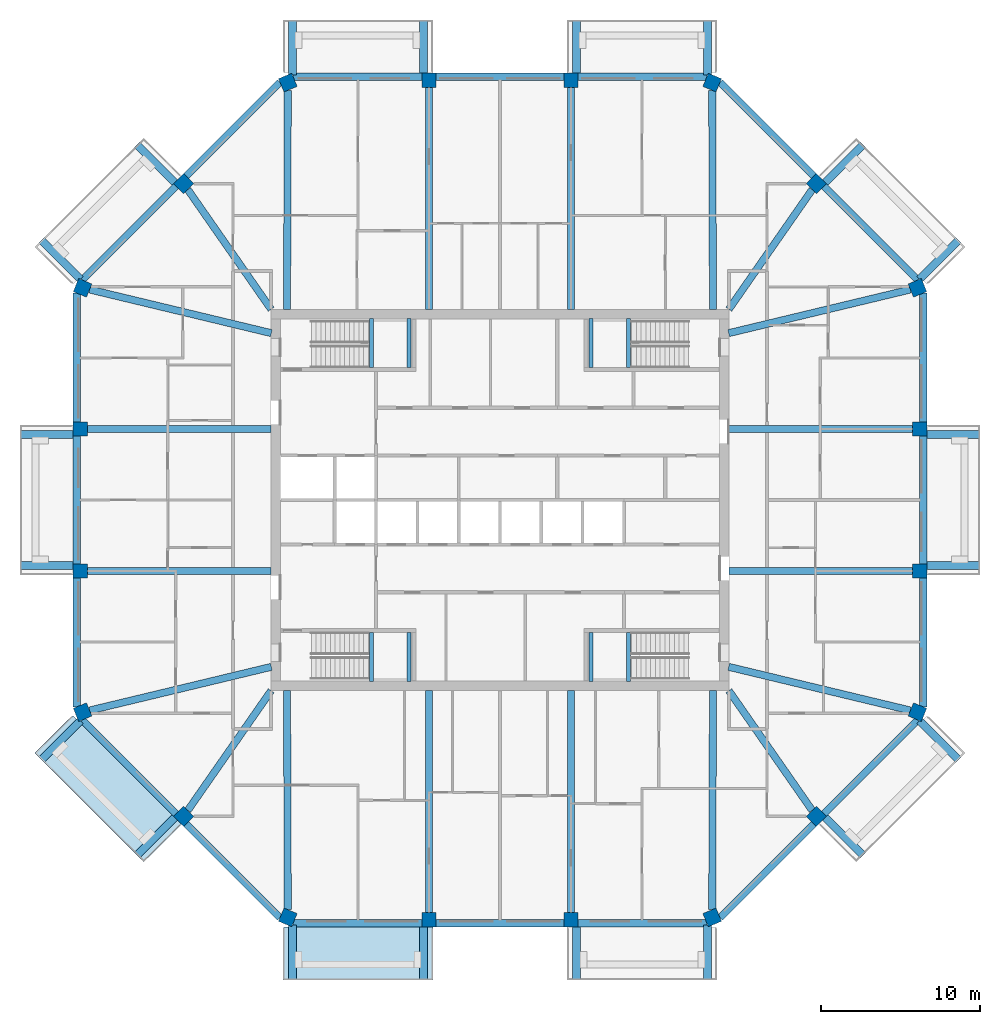
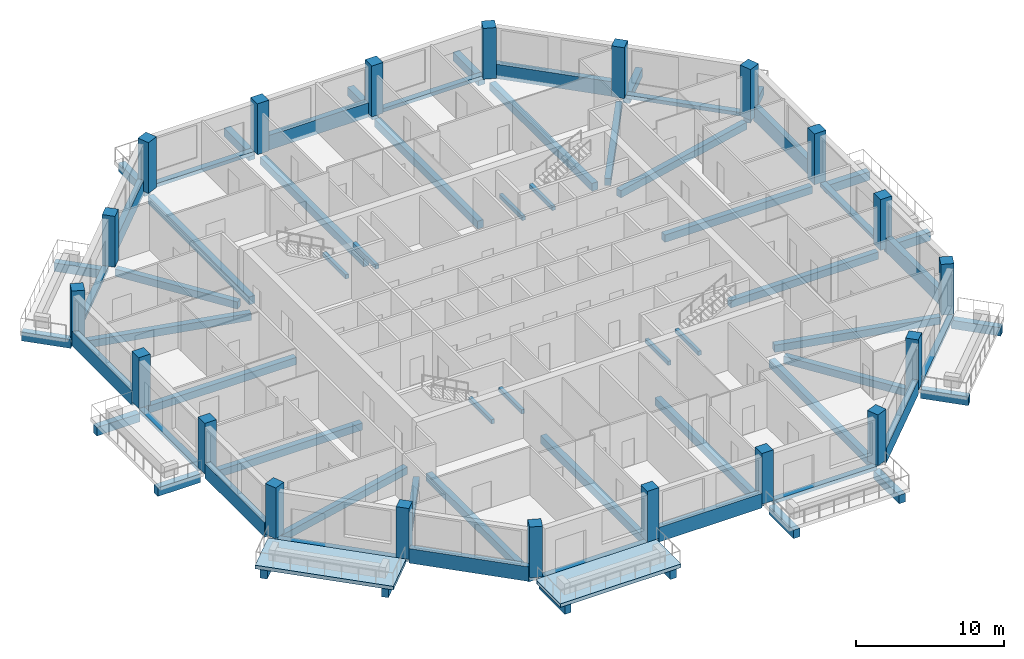
# One storey, part 1 of 12: 68 beams, 20 columns, 2 slabs.
"""IFC4 building model written with IfcOpenShell, lengths in metres."""

import ifcopenshell
import ifcopenshell.guid

model = None  # the IFC model being written
_history = None  # IfcOwnerHistory: only IFC2X3 demands one
_inside = {}  # id of a spatial element -> (the spatial element, [elements in it])
_under = {}  # id of a project, library or spatial element -> (it, [spatial elements below it])
_declared = {}  # id of a project -> (the project, [libraries it declares])
_typed = {}  # id of a type object -> (the type object, [elements of that type])
_made_of = {}  # id of a material, layer set ... -> (it, [elements and type objects made of it])


def new_model(schema):
    """Start an empty IFC model of exactly this schema.

    Asked for "IFC4X3", IfcOpenShell would pick the latest addendum, in which some entities
    have other attributes; the version numbers below select the first issue.
    IFC2X3 requires an IfcOwnerHistory on every rooted entity: one is made here for all.
    """
    global model, _history
    if schema == "IFC4X3":
        model = ifcopenshell.file(schema_version=(4, 3, 0, 0))
    else:
        model = ifcopenshell.file(schema=schema)
    _inside.clear()
    _under.clear()
    _declared.clear()
    _typed.clear()
    _made_of.clear()
    _history = None
    if model.schema == "IFC2X3":
        org = make("IfcOrganization", Name="unknown")
        user = make(
            "IfcPersonAndOrganization",
            ThePerson=make("IfcPerson", FamilyName="unknown"),
            TheOrganization=org,
        )
        app = make(
            "IfcApplication",
            ApplicationDeveloper=org,
            Version="unknown",
            ApplicationFullName="unknown",
            ApplicationIdentifier="unknown",
        )
        _history = make(
            "IfcOwnerHistory",
            OwningUser=user,
            OwningApplication=app,
            ChangeAction="ADDED",
            CreationDate=0,
        )
    return model


def make(cls, **values):
    """One entity of the class cls with the attributes given. An attribute that is None is left unset."""
    return model.create_entity(
        cls, **{name: value for name, value in values.items() if value is not None}
    )


def rooted(cls, **values):
    """An entity with a GlobalId (a new one), such as an element, a storey or a relation."""
    return make(cls, GlobalId=ifcopenshell.guid.new(), OwnerHistory=_history, **values)


def si_unit(unit_type, name, prefix=None):
    """IfcSIUnit, for example si_unit("LENGTHUNIT", "METRE", prefix="MILLI")."""
    return make("IfcSIUnit", UnitType=unit_type, Prefix=prefix, Name=name)


def assignment(units):
    """IfcUnitAssignment: the units of a project."""
    return None if units is None else make("IfcUnitAssignment", Units=units)


def point(xyz):
    """IfcCartesianPoint."""
    return None if xyz is None else make("IfcCartesianPoint", Coordinates=xyz)


def direction(xyz):
    """IfcDirection."""
    return None if xyz is None else make("IfcDirection", DirectionRatios=xyz)


def frame(location, z_axis=None, x_axis=None):
    """IfcAxis2Placement3D, a coordinate frame: its origin and axes. An axis left out is left unset."""
    return make(
        "IfcAxis2Placement3D",
        Location=point(location),
        Axis=direction(z_axis),
        RefDirection=direction(x_axis),
    )


def frame_2d(location, x_axis=None):
    """IfcAxis2Placement2D, a coordinate frame in the plane: its origin and x axis."""
    return make(
        "IfcAxis2Placement2D", Location=point(location), RefDirection=direction(x_axis)
    )


def origin():
    """The frame at (0, 0, 0) with its axes left unset."""
    return frame((0.0, 0.0, 0.0))


def origin_2d():
    """The frame at (0, 0) in the plane with its x axis left unset."""
    return frame_2d((0.0, 0.0))


def place(relative_to, where):
    """IfcLocalPlacement: puts the frame where relative to a parent placement (None: the world)."""
    return make(
        "IfcLocalPlacement", PlacementRelTo=relative_to, RelativePlacement=where
    )


def context(
    kind, dimensions, precision=None, world=None, true_north=None, identifier=None
):
    """IfcGeometricRepresentationContext, for example the 3D "Model" context."""
    return make(
        "IfcGeometricRepresentationContext",
        ContextIdentifier=identifier,
        ContextType=kind,
        CoordinateSpaceDimension=dimensions,
        Precision=precision,
        WorldCoordinateSystem=world,
        TrueNorth=true_north,
    )


def subcontext(parent, identifier, kind, view, scale=None):
    """IfcGeometricRepresentationSubContext, for example "Body" below "Model"."""
    return make(
        "IfcGeometricRepresentationSubContext",
        ContextIdentifier=identifier,
        ContextType=kind,
        ParentContext=parent,
        TargetScale=scale,
        TargetView=view,
    )


def project(units=None, contexts=None):
    """IfcProject with its units and contexts."""
    return rooted(
        "IfcProject",
        Name="project",
        RepresentationContexts=contexts,
        UnitsInContext=assignment(units),
    )


def spatial(cls, under=None, at=None, **own):
    """A site, building, storey or space (cls), placed at a placement, below another one or the project."""
    s = rooted(cls, ObjectPlacement=at, **own)
    if under is not None:
        _under.setdefault(under.id(), (under, []))[1].append(s)
    return s


def polyline(points):
    """IfcPolyline through the points."""
    return make("IfcPolyline", Points=[point(p) for p in points])


def profile(cls, at=None, kind="AREA", **sizes):
    """A parametric profile (cls). Its sizes go by their IFC names, for example OverallWidth=200.0."""
    return make(cls, ProfileType=kind, Position=at, **sizes)


def rectangle(**sizes):
    """IfcRectangleProfileDef."""
    return profile("IfcRectangleProfileDef", **sizes)


def outline(outer, holes=None, kind="AREA"):
    """IfcArbitraryClosedProfileDef: a profile drawn as a closed curve; with holes, ...WithVoids."""
    if holes is None:
        return make("IfcArbitraryClosedProfileDef", ProfileType=kind, OuterCurve=outer)
    return make(
        "IfcArbitraryProfileDefWithVoids",
        ProfileType=kind,
        OuterCurve=outer,
        InnerCurves=holes,
    )


def extrude(swept, where, along, depth):
    """IfcExtrudedAreaSolid: the profile swept, set in the frame where, extruded along a direction by depth."""
    return make(
        "IfcExtrudedAreaSolid",
        SweptArea=swept,
        Position=where,
        ExtrudedDirection=direction(along),
        Depth=depth,
    )


def shape(context_of_items, identifier, shape_type, items):
    """IfcShapeRepresentation: the items that make up one representation, for example the "Body"."""
    return make(
        "IfcShapeRepresentation",
        ContextOfItems=context_of_items,
        RepresentationIdentifier=identifier,
        RepresentationType=shape_type,
        Items=items,
    )


def material(Name=None, Category=None):
    """IfcMaterial."""
    return make("IfcMaterial", Name=Name, Category=Category)


def layer(
    of_material, thickness, ventilated=None, Name=None, Category=None, Priority=None
):
    """IfcMaterialLayer: one layer of a wall or slab, of a material (None: an air gap)."""
    return make(
        "IfcMaterialLayer",
        Material=of_material,
        LayerThickness=thickness,
        IsVentilated=ventilated,
        Name=Name,
        Category=Category,
        Priority=Priority,
    )


def layer_set(layers, Name=None):
    """IfcMaterialLayerSet."""
    return make("IfcMaterialLayerSet", MaterialLayers=layers, LayerSetName=Name)


def material_profile(
    of_material, cross_section, Name=None, Category=None, Priority=None
):
    """IfcMaterialProfile: a cross section and its material."""
    return make(
        "IfcMaterialProfile",
        Name=Name,
        Material=of_material,
        Profile=cross_section,
        Priority=Priority,
        Category=Category,
    )


def profile_set(profiles, Name=None, composite=None):
    """IfcMaterialProfileSet."""
    return make(
        "IfcMaterialProfileSet",
        Name=Name,
        MaterialProfiles=profiles,
        CompositeProfile=composite,
    )


def made_of(thing, what):
    """Note that an element or type object is made of a material, layer set ...; save() writes the relation."""
    if what is not None:
        _made_of.setdefault(what.id(), (what, []))[1].append(thing)
    return thing


def type_object(cls, material=None, **own):
    """A type object (cls), such as IfcWallType, which elements share."""
    return made_of(rooted(cls, **own), material)


def element(
    cls,
    number,
    at=None,
    inside=None,
    cuts=None,
    type_object=None,
    material=None,
    context=None,
    identifier="Body",
    shape_type=None,
    held_by="IfcProductDefinitionShape",
    body=None,
    shapes=None,
    **own,
):
    """One element of the class cls, such as IfcWall. Its Tag is "e" and its number.

    at: its placement. inside: the storey or other place that contains it. cuts: it is an
    opening in that element (IfcRelVoidsElement). A single representation is given by context,
    identifier, shape_type and body (its items); several are given by shapes. held_by: the class
    of the entity that holds the representations. save() writes the other relations.
    """
    e = rooted(cls, Tag="e%d" % number, ObjectPlacement=at, **own)
    if body is not None:
        shapes = [shape(context, identifier, shape_type, body)]
    if shapes is not None:
        e.Representation = make(held_by, Representations=shapes)
    if inside is not None:
        _inside.setdefault(inside.id(), (inside, []))[1].append(e)
    if cuts is not None:
        rooted(
            "IfcRelVoidsElement", RelatingBuildingElement=cuts, RelatedOpeningElement=e
        )
    if type_object is not None:
        _typed.setdefault(type_object.id(), (type_object, []))[1].append(e)
    return made_of(e, material)


def aggregate(whole, parts):
    """IfcRelAggregates: a whole, such as a stair, and the parts it consists of."""
    return rooted("IfcRelAggregates", RelatingObject=whole, RelatedObjects=parts)


def save(model, path):
    """Write the relations noted so far, then the file.

    IfcRelAggregates (storeys below a building ...), IfcRelContainedInSpatialStructure (elements
    in a storey), IfcRelDefinesByType, IfcRelAssociatesMaterial and IfcRelDeclares: one each for
    every whole, place, type object, material and project.
    """
    for whole, parts in _under.values():
        aggregate(whole, parts)
    for where, things in _inside.values():
        rooted(
            "IfcRelContainedInSpatialStructure",
            RelatedElements=things,
            RelatingStructure=where,
        )
    for kind, things in _typed.values():
        rooted("IfcRelDefinesByType", RelatedObjects=things, RelatingType=kind)
    for what, things in _made_of.values():
        rooted("IfcRelAssociatesMaterial", RelatedObjects=things, RelatingMaterial=what)
    for by, libraries in _declared.values():
        rooted("IfcRelDeclares", RelatingContext=by, RelatedDefinitions=libraries)
    model.write(path)


model = new_model("IFC4")

# Units and contexts
model_context = context("Model", 3, precision=1e-05, world=origin(), true_north=direction((0.0, 1.0)))
body_context = subcontext(model_context, "Body", "Model", "MODEL_VIEW")
ifc_project = project(units=[si_unit("LENGTHUNIT", "METRE"), si_unit("AREAUNIT", "SQUARE_METRE"), si_unit("VOLUMEUNIT", "CUBIC_METRE"), si_unit("PLANEANGLEUNIT", "RADIAN"), si_unit("MASSUNIT", "GRAM", prefix="KILO")], contexts=[model_context])

# Site, building, storey
site_placement = place(None, origin())
site = spatial("IfcSite", under=ifc_project, at=site_placement, CompositionType="ELEMENT")
building_placement = place(site_placement, origin())
building = spatial("IfcBuilding", under=site, at=building_placement, Name="Msitu Wima Residences", CompositionType="ELEMENT")
storey_placement = place(building_placement, frame((0.0, 0.0, 251.699951171875)))
storey = spatial("IfcBuildingStorey", under=building, at=storey_placement, Name="L58", CompositionType="ELEMENT", Elevation=251.699951171875)

# Columns
ifc_material_1 = material(Name="Concrete C50/60", Category="concrete")
ifc_material_profile_1 = material_profile(ifc_material_1, rectangle(XDim=0.89990234375, YDim=0.89990234375, at=origin_2d()), Name="RC 900x900")
ifc_profile_set_1 = profile_set([ifc_material_profile_1], Name="Concrete C50/60")
column_type = type_object("IfcColumnType", Name="Column RC 900x900 Concrete C50/60", PredefinedType="COLUMN", material=ifc_profile_set_1)
for number, where, z_axis, x_axis, name in (
    (1, (26.261962890625, -13.3486328125, 0.0), (0.0, 0.0, 1.0), (0.382683496864, 0.923879505795, 0.0), "Column L58 C-E0"),
    (2, (26.39990234375, -4.46875, 0.0), (0.0, 0.0, 1.0), (0.0, 1.0, 0.0), "Column L58 C-E1"),
    (3, (26.39990234375, 4.46875, 0.0), (0.0, 0.0, 1.0), (0.0, 1.0, 0.0), "Column L58 C-E2"),
    (4, (26.261962890625, 13.3486328125, 0.0), (0.0, 0.0, 1.0), (-0.382683496864, 0.923879505795, 0.0), "Column L58 C-NE0"),
    (5, (19.90283203125, 19.90283203125, 0.0), (0.0, 0.0, 1.0), (-0.707106781187, 0.707106781187, 0.0), "Column L58 C-NE1"),
    (6, (13.3486328125, 26.261962890625, 0.0), (0.0, 0.0, 1.0), (-0.923879505795, 0.382683496864, 0.0), "Column L58 C-N0"),
    (7, (4.46875, 26.39990234375, 0.0), (0.0, 0.0, 1.0), (-1.0, 0.0, 0.0), "Column L58 C-N1"),
    (8, (-4.46875, 26.39990234375, 0.0), (0.0, 0.0, 1.0), (-1.0, 0.0, 0.0), "Column L58 C-N2"),
    (9, (-13.3486328125, 26.261962890625, 0.0), (0.0, 0.0, 1.0), (-0.923879505795, -0.382683496864, 0.0), "Column L58 C-NW0"),
    (10, (-19.90283203125, 19.90283203125, 0.0), (0.0, 0.0, 1.0), (-0.707106781187, -0.707106781187, 0.0), "Column L58 C-NW1"),
    (11, (-26.261962890625, 13.3486328125, 0.0), (0.0, 0.0, 1.0), (-0.382683496864, -0.923879505795, 0.0), "Column L58 C-W0"),
    (12, (-26.39990234375, 4.46875, 0.0), (0.0, 0.0, 1.0), (0.0, -1.0, 0.0), "Column L58 C-W1"),
    (13, (-26.39990234375, -4.46875, 0.0), (0.0, 0.0, 1.0), (0.0, -1.0, 0.0), "Column L58 C-W2"),
    (14, (-26.261962890625, -13.3486328125, 0.0), (0.0, 0.0, 1.0), (0.382683496864, -0.923879505795, 0.0), "Column L58 C-SW0"),
    (15, (-19.90283203125, -19.90283203125, 0.0), (0.0, 0.0, 1.0), (0.707106781187, -0.707106781187, 0.0), "Column L58 C-SW1"),
    (16, (-13.3486328125, -26.261962890625, 0.0), (0.0, 0.0, 1.0), (0.923879505795, -0.382683496864, 0.0), "Column L58 C-S0"),
    (17, (-4.46875, -26.39990234375, 0.0), (0.0, 0.0, 1.0), (1.0, 0.0, 0.0), "Column L58 C-S1"),
    (18, (4.46875, -26.39990234375, 0.0), (0.0, 0.0, 1.0), (1.0, 0.0, 0.0), "Column L58 C-S2"),
    (19, (13.3486328125, -26.261962890625, 0.0), (0.0, 0.0, 1.0), (0.923879505795, 0.382683496864, 0.0), "Column L58 C-SE0"),
    (20, (19.90283203125, -19.90283203125, 0.0), (0.0, 0.0, 1.0), (0.707106781187, 0.707106781187, 0.0), "Column L58 C-SE1"),
):
    element("IfcColumn", number, at=place(storey_placement, frame(where, z_axis=z_axis, x_axis=x_axis)), inside=storey, type_object=column_type, Name=name, PredefinedType="COLUMN", context=body_context, shape_type="SweptSolid", body=[
        extrude(rectangle(XDim=0.89990234375, YDim=0.89990234375, at=origin_2d()), origin(), (0.0, 0.0, 1.0), 4.199951171875),
    ])

# Beams
ifc_material_profile_2 = material_profile(ifc_material_1, rectangle(XDim=0.449951171875, YDim=0.60009765625, at=origin_2d()), Name="RC 450x600")
ifc_profile_set_2 = profile_set([ifc_material_profile_2], Name="Concrete C50/60")
beam_type_1 = type_object("IfcBeamType", Name="Beam RC 450x600 Concrete C50/60", PredefinedType="BEAM", material=ifc_profile_set_2)
beam_1_placement = place(storey_placement, frame((25.819091796875, -13.242431640625, -0.550048828125), z_axis=(-0.972353359268, 0.233514335148, 0.0), x_axis=(-0.233514335148, -0.972353359268, 0.0)))
element("IfcBeam", 21, at=beam_1_placement, inside=storey, type_object=beam_type_1, Name="Beam L58 C-E0", PredefinedType="BEAM", context=body_context, shape_type="SweptSolid", body=[
    extrude(rectangle(XDim=0.449951171875, YDim=0.60009765625, at=origin_2d()), origin(), (0.0, 0.0, 1.0), 11.755615234375),
])
for number, where, z_axis, x_axis, name in (
    (22, (25.949951171875, -4.46875, -0.550048828125), (-1.0, 0.0, 0.0), (0.0, -1.0, 0.0), "Beam L58 C-E1"),
    (23, (25.949951171875, 4.46875, -0.550048828125), (-1.0, 0.0, 0.0), (0.0, -1.0, 0.0), "Beam L58 C-E2"),
):
    element("IfcBeam", number, at=place(storey_placement, frame(where, z_axis=z_axis, x_axis=x_axis)), inside=storey, type_object=beam_type_1, Name=name, PredefinedType="BEAM", context=body_context, shape_type="SweptSolid", body=[
        extrude(rectangle(XDim=0.449951171875, YDim=0.60009765625, at=origin_2d()), origin(), (0.0, 0.0, 1.0), 11.550048828125),
    ])
beam_2_placement = place(storey_placement, frame((25.819091796875, 13.242431640625, -0.550048828125), z_axis=(-0.972353359268, -0.233514335148, 0.0), x_axis=(0.233514335148, -0.972353359268, 0.0)))
element("IfcBeam", 24, at=beam_2_placement, inside=storey, type_object=beam_type_1, Name="Beam L58 C-NE0", PredefinedType="BEAM", context=body_context, shape_type="SweptSolid", body=[
    extrude(rectangle(XDim=0.449951171875, YDim=0.60009765625, at=origin_2d()), origin(), (0.0, 0.0, 1.0), 11.755615234375),
])
for number, where, z_axis, x_axis, name in (
    (25, (19.6416015625, 19.52783203125, -0.550048828125), (-0.571427822633, -0.820652328042, 0.0), (0.820652328042, -0.571427822633, 0.0), "Beam L58 C-NE1"),
    (26, (-19.6416015625, 19.52783203125, -0.550048828125), (0.571427822633, -0.820652328042, 0.0), (0.820652328042, 0.571427822633, 0.0), "Beam L58 C-NW1"),
):
    element("IfcBeam", number, at=place(storey_placement, frame(where, z_axis=z_axis, x_axis=x_axis)), inside=storey, type_object=beam_type_1, Name=name, PredefinedType="BEAM", context=body_context, shape_type="SweptSolid", body=[
        extrude(rectangle(XDim=0.449951171875, YDim=0.60009765625, at=origin_2d()), origin(), (0.0, 0.0, 1.0), 9.173095703125),
    ])
beam_3_placement = place(storey_placement, frame((-25.819091796875, 13.242431640625, -0.550048828125), z_axis=(0.972353359268, -0.233514335148, 0.0), x_axis=(0.233514335148, 0.972353359268, 0.0)))
element("IfcBeam", 27, at=beam_3_placement, inside=storey, type_object=beam_type_1, Name="Beam L58 C-W0", PredefinedType="BEAM", context=body_context, shape_type="SweptSolid", body=[
    extrude(rectangle(XDim=0.449951171875, YDim=0.60009765625, at=origin_2d()), origin(), (0.0, 0.0, 1.0), 11.755615234375),
])
for number, where, z_axis, x_axis, name in (
    (28, (-25.949951171875, 4.46875, -0.550048828125), (1.0, 0.0, 0.0), (0.0, 1.0, 0.0), "Beam L58 C-W1"),
    (29, (-25.949951171875, -4.46875, -0.550048828125), (1.0, 0.0, 0.0), (0.0, 1.0, 0.0), "Beam L58 C-W2"),
):
    element("IfcBeam", number, at=place(storey_placement, frame(where, z_axis=z_axis, x_axis=x_axis)), inside=storey, type_object=beam_type_1, Name=name, PredefinedType="BEAM", context=body_context, shape_type="SweptSolid", body=[
        extrude(rectangle(XDim=0.449951171875, YDim=0.60009765625, at=origin_2d()), origin(), (0.0, 0.0, 1.0), 11.550048828125),
    ])
beam_4_placement = place(storey_placement, frame((-25.819091796875, -13.242431640625, -0.550048828125), z_axis=(0.972353359268, 0.233514335148, 0.0), x_axis=(-0.233514335148, 0.972353359268, 0.0)))
element("IfcBeam", 30, at=beam_4_placement, inside=storey, type_object=beam_type_1, Name="Beam L58 C-SW0", PredefinedType="BEAM", context=body_context, shape_type="SweptSolid", body=[
    extrude(rectangle(XDim=0.449951171875, YDim=0.60009765625, at=origin_2d()), origin(), (0.0, 0.0, 1.0), 11.755615234375),
])
for number, where, z_axis, x_axis, name in (
    (31, (-19.6416015625, -19.52783203125, -0.550048828125), (0.571427822633, 0.820652328042, 0.0), (-0.820652328042, 0.571427822633, 0.0), "Beam L58 C-SW1"),
    (32, (19.6416015625, -19.52783203125, -0.550048828125), (-0.571427822633, 0.820652328042, 0.0), (-0.820652328042, -0.571427822633, 0.0), "Beam L58 C-SE1"),
):
    element("IfcBeam", number, at=place(storey_placement, frame(where, z_axis=z_axis, x_axis=x_axis)), inside=storey, type_object=beam_type_1, Name=name, PredefinedType="BEAM", context=body_context, shape_type="SweptSolid", body=[
        extrude(rectangle(XDim=0.449951171875, YDim=0.60009765625, at=origin_2d()), origin(), (0.0, 0.0, 1.0), 9.173095703125),
    ])
ifc_material_profile_3 = material_profile(ifc_material_1, rectangle(XDim=0.449951171875, YDim=0.64990234375, at=origin_2d()), Name="RC 450x650")
ifc_profile_set_3 = profile_set([ifc_material_profile_3], Name="Concrete C50/60")
beam_type_2 = type_object("IfcBeamType", Name="Beam RC 450x650 Concrete C50/60", PredefinedType="BEAM", material=ifc_profile_set_3)
beam_5_placement = place(storey_placement, frame((13.3505859375, 25.774169921875, -0.574951171875), z_axis=(0.003594933206, -0.999993538207, 0.0), x_axis=(0.999993538207, 0.003594933206, 0.0)))
element("IfcBeam", 33, at=beam_5_placement, inside=storey, type_object=beam_type_2, Name="Beam L58 C-N0", PredefinedType="BEAM", context=body_context, shape_type="SweptSolid", body=[
    extrude(rectangle(XDim=0.449951171875, YDim=0.64990234375, at=origin_2d()), origin(), (0.0, 0.0, 1.0), 13.7861328125),
])
for number, where, z_axis, x_axis, name in (
    (34, (4.46875, 25.949951171875, -0.574951171875), (0.0, -1.0, 0.0), (1.0, 0.0, 0.0), "Beam L58 C-N1"),
    (35, (-4.46875, 25.949951171875, -0.574951171875), (0.0, -1.0, 0.0), (1.0, 0.0, 0.0), "Beam L58 C-N2"),
):
    element("IfcBeam", number, at=place(storey_placement, frame(where, z_axis=z_axis, x_axis=x_axis)), inside=storey, type_object=beam_type_2, Name=name, PredefinedType="BEAM", context=body_context, shape_type="SweptSolid", body=[
        extrude(rectangle(XDim=0.449951171875, YDim=0.64990234375, at=origin_2d()), origin(), (0.0, 0.0, 1.0), 13.949951171875),
    ])
for number, where, z_axis, x_axis, name in (
    (36, (-13.3505859375, 25.774169921875, -0.574951171875), (-0.003594933206, -0.999993538207, 0.0), (0.999993538207, -0.003594933206, 0.0), "Beam L58 C-NW0"),
    (37, (-13.3505859375, -25.774169921875, -0.574951171875), (-0.003594933206, 0.999993538207, 0.0), (-0.999993538207, -0.003594933206, 0.0), "Beam L58 C-S0"),
):
    element("IfcBeam", number, at=place(storey_placement, frame(where, z_axis=z_axis, x_axis=x_axis)), inside=storey, type_object=beam_type_2, Name=name, PredefinedType="BEAM", context=body_context, shape_type="SweptSolid", body=[
        extrude(rectangle(XDim=0.449951171875, YDim=0.64990234375, at=origin_2d()), origin(), (0.0, 0.0, 1.0), 13.7861328125),
    ])
for number, where, z_axis, x_axis, name in (
    (38, (-4.46875, -25.949951171875, -0.574951171875), (0.0, 1.0, 0.0), (-1.0, 0.0, 0.0), "Beam L58 C-S1"),
    (39, (4.46875, -25.949951171875, -0.574951171875), (0.0, 1.0, 0.0), (-1.0, 0.0, 0.0), "Beam L58 C-S2"),
):
    element("IfcBeam", number, at=place(storey_placement, frame(where, z_axis=z_axis, x_axis=x_axis)), inside=storey, type_object=beam_type_2, Name=name, PredefinedType="BEAM", context=body_context, shape_type="SweptSolid", body=[
        extrude(rectangle(XDim=0.449951171875, YDim=0.64990234375, at=origin_2d()), origin(), (0.0, 0.0, 1.0), 13.949951171875),
    ])
beam_6_placement = place(storey_placement, frame((13.3505859375, -25.774169921875, -0.574951171875), z_axis=(0.003594933206, 0.999993538207, 0.0), x_axis=(-0.999993538207, 0.003594933206, 0.0)))
element("IfcBeam", 40, at=beam_6_placement, inside=storey, type_object=beam_type_2, Name="Beam L58 C-SE0", PredefinedType="BEAM", context=body_context, shape_type="SweptSolid", body=[
    extrude(rectangle(XDim=0.449951171875, YDim=0.64990234375, at=origin_2d()), origin(), (0.0, 0.0, 1.0), 13.7861328125),
])
ifc_material_profile_4 = material_profile(ifc_material_1, rectangle(XDim=0.5, YDim=0.699951171875, at=origin_2d()), Name="RC 500x700")
ifc_profile_set_4 = profile_set([ifc_material_profile_4], Name="Concrete C50/60")
beam_type_3 = type_object("IfcBeamType", Name="Cantilever beam RC 500x700 Concrete C50/60", PredefinedType="BEAM", material=ifc_profile_set_4)
for number, where, z_axis, x_axis, name in (
    (41, (26.85009765625, -4.11865234375, -0.64990234375), (1.0, 0.0, 0.0), (0.0, 1.0, 0.0), "Cantilever beam L58 BA-E1 A"),
    (42, (26.85009765625, 4.11865234375, -0.64990234375), (1.0, 0.0, 0.0), (0.0, 1.0, 0.0), "Cantilever beam L58 BA-E1 B"),
):
    element("IfcBeam", number, at=place(storey_placement, frame(where, z_axis=z_axis, x_axis=x_axis)), inside=storey, type_object=beam_type_3, Name=name, PredefinedType="BEAM", context=body_context, shape_type="SweptSolid", body=[
        extrude(rectangle(XDim=0.5, YDim=0.699951171875, at=origin_2d()), origin(), (0.0, 0.0, 1.0), 3.349853515625),
    ])
beam_7_placement = place(storey_placement, frame((26.386474609375, 13.887451171875, -0.64990234375), z_axis=(0.707141968506, 0.707071592116, 0.0), x_axis=(-0.707071592116, 0.707141968506, 0.0)))
element("IfcBeam", 43, at=beam_7_placement, inside=storey, type_object=beam_type_3, Name="Cantilever beam L58 BA-NE0 A", PredefinedType="BEAM", context=body_context, shape_type="SweptSolid", body=[
    extrude(rectangle(XDim=0.5, YDim=0.699951171875, at=origin_2d()), origin(), (0.0, 0.0, 1.0), 3.468994140625),
])
beam_8_placement = place(storey_placement, frame((20.46875, 19.9736328125, -0.64990234375), z_axis=(0.707070340836, 0.707143219659, 0.0), x_axis=(-0.707143219659, 0.707070340836, 0.0)))
element("IfcBeam", 44, at=beam_8_placement, inside=storey, type_object=beam_type_3, Name="Cantilever beam L58 BA-NE0 B", PredefinedType="BEAM", context=body_context, shape_type="SweptSolid", body=[
    extrude(rectangle(XDim=0.5, YDim=0.699951171875, at=origin_2d()), origin(), (0.0, 0.0, 1.0), 3.349853515625),
])
beam_9_placement = place(storey_placement, frame((13.055908203125, 26.73095703125, -0.64990234375), z_axis=(0.0, 1.0, 0.0), x_axis=(-1.0, 0.0, 0.0)))
element("IfcBeam", 45, at=beam_9_placement, inside=storey, type_object=beam_type_3, Name="Cantilever beam L58 BA-N0 A", PredefinedType="BEAM", context=body_context, shape_type="SweptSolid", body=[
    extrude(rectangle(XDim=0.5, YDim=0.699951171875, at=origin_2d()), origin(), (0.0, 0.0, 1.0), 3.468994140625),
])
for number, where, z_axis, x_axis, name in (
    (46, (4.818603515625, 26.85009765625, -0.64990234375), (0.0, 1.0, 0.0), (-1.0, 0.0, 0.0), "Cantilever beam L58 BA-N0 B"),
    (47, (-4.818603515625, 26.85009765625, -0.64990234375), (0.0, 1.0, 0.0), (-1.0, 0.0, 0.0), "Cantilever beam L58 BA-N2 A"),
):
    element("IfcBeam", number, at=place(storey_placement, frame(where, z_axis=z_axis, x_axis=x_axis)), inside=storey, type_object=beam_type_3, Name=name, PredefinedType="BEAM", context=body_context, shape_type="SweptSolid", body=[
        extrude(rectangle(XDim=0.5, YDim=0.699951171875, at=origin_2d()), origin(), (0.0, 0.0, 1.0), 3.349853515625),
    ])
beam_10_placement = place(storey_placement, frame((-13.055908203125, 26.73095703125, -0.64990234375), z_axis=(0.0, 1.0, 0.0), x_axis=(-1.0, 0.0, 0.0)))
element("IfcBeam", 48, at=beam_10_placement, inside=storey, type_object=beam_type_3, Name="Cantilever beam L58 BA-N2 B", PredefinedType="BEAM", context=body_context, shape_type="SweptSolid", body=[
    extrude(rectangle(XDim=0.5, YDim=0.699951171875, at=origin_2d()), origin(), (0.0, 0.0, 1.0), 3.468994140625),
])
beam_11_placement = place(storey_placement, frame((-20.46875, 19.9736328125, -0.64990234375), z_axis=(-0.707070340836, 0.707143219659, 0.0), x_axis=(-0.707143219659, -0.707070340836, 0.0)))
element("IfcBeam", 49, at=beam_11_placement, inside=storey, type_object=beam_type_3, Name="Cantilever beam L58 BA-NW1 A", PredefinedType="BEAM", context=body_context, shape_type="SweptSolid", body=[
    extrude(rectangle(XDim=0.5, YDim=0.699951171875, at=origin_2d()), origin(), (0.0, 0.0, 1.0), 3.349853515625),
])
beam_12_placement = place(storey_placement, frame((-26.386474609375, 13.887451171875, -0.64990234375), z_axis=(-0.707141968506, 0.707071592116, 0.0), x_axis=(-0.707071592116, -0.707141968506, 0.0)))
element("IfcBeam", 50, at=beam_12_placement, inside=storey, type_object=beam_type_3, Name="Cantilever beam L58 BA-NW1 B", PredefinedType="BEAM", context=body_context, shape_type="SweptSolid", body=[
    extrude(rectangle(XDim=0.5, YDim=0.699951171875, at=origin_2d()), origin(), (0.0, 0.0, 1.0), 3.468994140625),
])
for number, where, z_axis, x_axis, name in (
    (51, (-26.85009765625, 4.11865234375, -0.64990234375), (-1.0, 0.0, 0.0), (0.0, -1.0, 0.0), "Cantilever beam L58 BA-W1 A"),
    (52, (-26.85009765625, -4.11865234375, -0.64990234375), (-1.0, 0.0, 0.0), (0.0, -1.0, 0.0), "Cantilever beam L58 BA-W1 B"),
):
    element("IfcBeam", number, at=place(storey_placement, frame(where, z_axis=z_axis, x_axis=x_axis)), inside=storey, type_object=beam_type_3, Name=name, PredefinedType="BEAM", context=body_context, shape_type="SweptSolid", body=[
        extrude(rectangle(XDim=0.5, YDim=0.699951171875, at=origin_2d()), origin(), (0.0, 0.0, 1.0), 3.349853515625),
    ])
beam_13_placement = place(storey_placement, frame((-26.386474609375, -13.887451171875, -0.64990234375), z_axis=(-0.707141968506, -0.707071592116, 0.0), x_axis=(0.707071592116, -0.707141968506, 0.0)))
element("IfcBeam", 53, at=beam_13_placement, inside=storey, type_object=beam_type_3, Name="Cantilever beam L58 BA-SW0 A", PredefinedType="BEAM", context=body_context, shape_type="SweptSolid", body=[
    extrude(rectangle(XDim=0.5, YDim=0.699951171875, at=origin_2d()), origin(), (0.0, 0.0, 1.0), 3.468994140625),
])
beam_14_placement = place(storey_placement, frame((-20.46875, -19.9736328125, -0.64990234375), z_axis=(-0.707070340836, -0.707143219659, 0.0), x_axis=(0.707143219659, -0.707070340836, 0.0)))
element("IfcBeam", 54, at=beam_14_placement, inside=storey, type_object=beam_type_3, Name="Cantilever beam L58 BA-SW0 B", PredefinedType="BEAM", context=body_context, shape_type="SweptSolid", body=[
    extrude(rectangle(XDim=0.5, YDim=0.699951171875, at=origin_2d()), origin(), (0.0, 0.0, 1.0), 3.349853515625),
])
beam_15_placement = place(storey_placement, frame((-13.055908203125, -26.73095703125, -0.64990234375), z_axis=(0.0, -1.0, 0.0), x_axis=(1.0, 0.0, 0.0)))
element("IfcBeam", 55, at=beam_15_placement, inside=storey, type_object=beam_type_3, Name="Cantilever beam L58 BA-S0 A", PredefinedType="BEAM", context=body_context, shape_type="SweptSolid", body=[
    extrude(rectangle(XDim=0.5, YDim=0.699951171875, at=origin_2d()), origin(), (0.0, 0.0, 1.0), 3.468994140625),
])
for number, where, z_axis, x_axis, name in (
    (56, (-4.818603515625, -26.85009765625, -0.64990234375), (0.0, -1.0, 0.0), (1.0, 0.0, 0.0), "Cantilever beam L58 BA-S0 B"),
    (57, (4.818603515625, -26.85009765625, -0.64990234375), (0.0, -1.0, 0.0), (1.0, 0.0, 0.0), "Cantilever beam L58 BA-S2 A"),
):
    element("IfcBeam", number, at=place(storey_placement, frame(where, z_axis=z_axis, x_axis=x_axis)), inside=storey, type_object=beam_type_3, Name=name, PredefinedType="BEAM", context=body_context, shape_type="SweptSolid", body=[
        extrude(rectangle(XDim=0.5, YDim=0.699951171875, at=origin_2d()), origin(), (0.0, 0.0, 1.0), 3.349853515625),
    ])
beam_16_placement = place(storey_placement, frame((13.055908203125, -26.73095703125, -0.64990234375), z_axis=(0.0, -1.0, 0.0), x_axis=(1.0, 0.0, 0.0)))
element("IfcBeam", 58, at=beam_16_placement, inside=storey, type_object=beam_type_3, Name="Cantilever beam L58 BA-S2 B", PredefinedType="BEAM", context=body_context, shape_type="SweptSolid", body=[
    extrude(rectangle(XDim=0.5, YDim=0.699951171875, at=origin_2d()), origin(), (0.0, 0.0, 1.0), 3.468994140625),
])
beam_17_placement = place(storey_placement, frame((20.46875, -19.9736328125, -0.64990234375), z_axis=(0.707070340836, -0.707143219659, 0.0), x_axis=(0.707143219659, 0.707070340836, 0.0)))
element("IfcBeam", 59, at=beam_17_placement, inside=storey, type_object=beam_type_3, Name="Cantilever beam L58 BA-SE1 A", PredefinedType="BEAM", context=body_context, shape_type="SweptSolid", body=[
    extrude(rectangle(XDim=0.5, YDim=0.699951171875, at=origin_2d()), origin(), (0.0, 0.0, 1.0), 3.349853515625),
])
beam_18_placement = place(storey_placement, frame((26.386474609375, -13.887451171875, -0.64990234375), z_axis=(0.707141968506, -0.707071592116, 0.0), x_axis=(0.707071592116, 0.707141968506, 0.0)))
element("IfcBeam", 60, at=beam_18_placement, inside=storey, type_object=beam_type_3, Name="Cantilever beam L58 BA-SE1 B", PredefinedType="BEAM", context=body_context, shape_type="SweptSolid", body=[
    extrude(rectangle(XDim=0.5, YDim=0.699951171875, at=origin_2d()), origin(), (0.0, 0.0, 1.0), 3.468994140625),
])
ifc_material_profile_5 = material_profile(ifc_material_1, rectangle(XDim=0.449951171875, YDim=0.300048828125, at=origin_2d()), Name="RC 450x300")
ifc_profile_set_5 = profile_set([ifc_material_profile_5], Name="Concrete C50/60")
beam_type_4 = type_object("IfcBeamType", Name="Edge beam RC 450x300 Concrete C50/60", PredefinedType="SPANDREL", material=ifc_profile_set_5)
beam_19_placement = place(storey_placement, frame((26.625, -4.0185546875, -0.14990234375), z_axis=(0.0, 1.0, 0.0), x_axis=(-1.0, 0.0, 0.0)))
element("IfcBeam", 61, at=beam_19_placement, inside=storey, type_object=beam_type_4, Name="Spandrel L58 E1", PredefinedType="SPANDREL", context=body_context, shape_type="SweptSolid", body=[
    extrude(rectangle(XDim=0.449951171875, YDim=0.300048828125, at=origin_2d()), origin(), (0.0, 0.0, 1.0), 8.037109375),
])
beam_20_placement = place(storey_placement, frame((26.2890625, 13.8349609375, -0.14990234375), z_axis=(-0.707106781187, 0.707106781187, 0.0), x_axis=(-0.707106781187, -0.707106781187, 0.0)))
element("IfcBeam", 62, at=beam_20_placement, inside=storey, type_object=beam_type_4, Name="Spandrel L58 NE0", PredefinedType="SPANDREL", context=body_context, shape_type="SweptSolid", body=[
    extrude(rectangle(XDim=0.449951171875, YDim=0.300048828125, at=origin_2d()), origin(), (0.0, 0.0, 1.0), 8.3564453125),
])
for number, where, z_axis, x_axis, name in (
    (63, (13.02392578125, 26.625, -0.14990234375), (-1.0, 0.0, 0.0), (0.0, -1.0, 0.0), "Spandrel L58 N0"),
    (64, (-4.918701171875, 26.625, -0.14990234375), (-1.0, 0.0, 0.0), (0.0, -1.0, 0.0), "Spandrel L58 N2"),
):
    element("IfcBeam", number, at=place(storey_placement, frame(where, z_axis=z_axis, x_axis=x_axis)), inside=storey, type_object=beam_type_4, Name=name, PredefinedType="SPANDREL", context=body_context, shape_type="SweptSolid", body=[
        extrude(rectangle(XDim=0.449951171875, YDim=0.300048828125, at=origin_2d()), origin(), (0.0, 0.0, 1.0), 8.105224609375),
    ])
beam_21_placement = place(storey_placement, frame((-20.380126953125, 19.743896484375, -0.14990234375), z_axis=(-0.707106781187, -0.707106781187, 0.0), x_axis=(0.707106781187, -0.707106781187, 0.0)))
element("IfcBeam", 65, at=beam_21_placement, inside=storey, type_object=beam_type_4, Name="Spandrel L58 NW1", PredefinedType="SPANDREL", context=body_context, shape_type="SweptSolid", body=[
    extrude(rectangle(XDim=0.449951171875, YDim=0.300048828125, at=origin_2d()), origin(), (0.0, 0.0, 1.0), 8.3564453125),
])
beam_22_placement = place(storey_placement, frame((-26.625, 4.0185546875, -0.14990234375), z_axis=(0.0, -1.0, 0.0), x_axis=(1.0, 0.0, 0.0)))
element("IfcBeam", 66, at=beam_22_placement, inside=storey, type_object=beam_type_4, Name="Spandrel L58 W1", PredefinedType="SPANDREL", context=body_context, shape_type="SweptSolid", body=[
    extrude(rectangle(XDim=0.449951171875, YDim=0.300048828125, at=origin_2d()), origin(), (0.0, 0.0, 1.0), 8.037109375),
])
beam_23_placement = place(storey_placement, frame((-26.2890625, -13.8349609375, -0.14990234375), z_axis=(0.707106781187, -0.707106781187, 0.0), x_axis=(0.707106781187, 0.707106781187, 0.0)))
element("IfcBeam", 67, at=beam_23_placement, inside=storey, type_object=beam_type_4, Name="Spandrel L58 SW0", PredefinedType="SPANDREL", context=body_context, shape_type="SweptSolid", body=[
    extrude(rectangle(XDim=0.449951171875, YDim=0.300048828125, at=origin_2d()), origin(), (0.0, 0.0, 1.0), 8.3564453125),
])
for number, where, z_axis, x_axis, name in (
    (68, (-13.02392578125, -26.625, -0.14990234375), (1.0, 0.0, 0.0), (0.0, 1.0, 0.0), "Spandrel L58 S0"),
    (69, (4.918701171875, -26.625, -0.14990234375), (1.0, 0.0, 0.0), (0.0, 1.0, 0.0), "Spandrel L58 S2"),
):
    element("IfcBeam", number, at=place(storey_placement, frame(where, z_axis=z_axis, x_axis=x_axis)), inside=storey, type_object=beam_type_4, Name=name, PredefinedType="SPANDREL", context=body_context, shape_type="SweptSolid", body=[
        extrude(rectangle(XDim=0.449951171875, YDim=0.300048828125, at=origin_2d()), origin(), (0.0, 0.0, 1.0), 8.105224609375),
    ])
beam_24_placement = place(storey_placement, frame((20.380126953125, -19.743896484375, -0.14990234375), z_axis=(0.707106781187, 0.707106781187, 0.0), x_axis=(-0.707106781187, 0.707106781187, 0.0)))
element("IfcBeam", 70, at=beam_24_placement, inside=storey, type_object=beam_type_4, Name="Spandrel L58 SE1", PredefinedType="SPANDREL", context=body_context, shape_type="SweptSolid", body=[
    extrude(rectangle(XDim=0.449951171875, YDim=0.300048828125, at=origin_2d()), origin(), (0.0, 0.0, 1.0), 8.3564453125),
])
ifc_material_2 = material(Name="Concrete C40/50", Category="concrete")
ifc_material_profile_6 = material_profile(ifc_material_2, rectangle(XDim=0.25, YDim=0.35009765625, at=origin_2d()), Name="RC 250x350")
ifc_profile_set_6 = profile_set([ifc_material_profile_6], Name="Concrete C40/50")
beam_type_5 = type_object("IfcBeamType", Name="Landing beam RC 250x350", PredefinedType="BEAM", material=ifc_profile_set_6)
for number, where, z_axis, x_axis, name in (
    (71, (-8.074951171875, 8.324951171875, 1.72509765625), (0.0, 1.0, 0.0), (-1.0, 0.0, 0.0), "Stair 1 landing beam"),
    (72, (-5.72509765625, 8.324951171875, 1.72509765625), (0.0, 1.0, 0.0), (-1.0, 0.0, 0.0), "Stair 1 landing beam"),
    (73, (-8.074951171875, -11.425048828125, 1.72509765625), (0.0, 1.0, 0.0), (-1.0, 0.0, 0.0), "Stair 2 landing beam"),
    (74, (-5.72509765625, -11.425048828125, 1.72509765625), (0.0, 1.0, 0.0), (-1.0, 0.0, 0.0), "Stair 2 landing beam"),
    (75, (8.074951171875, 8.324951171875, 1.72509765625), (0.0, 1.0, 0.0), (-1.0, 0.0, 0.0), "Stair 3 landing beam"),
    (76, (5.72509765625, 8.324951171875, 1.72509765625), (0.0, 1.0, 0.0), (-1.0, 0.0, 0.0), "Stair 3 landing beam"),
    (77, (8.074951171875, -11.425048828125, 1.72509765625), (0.0, 1.0, 0.0), (-1.0, 0.0, 0.0), "Stair 4 landing beam"),
    (78, (5.72509765625, -11.425048828125, 1.72509765625), (0.0, 1.0, 0.0), (-1.0, 0.0, 0.0), "Stair 4 landing beam"),
):
    element("IfcBeam", number, at=place(storey_placement, frame(where, z_axis=z_axis, x_axis=x_axis)), inside=storey, type_object=beam_type_5, Name=name, PredefinedType="BEAM", context=body_context, shape_type="SweptSolid", body=[
        extrude(rectangle(XDim=0.25, YDim=0.35009765625, at=origin_2d()), origin(), (0.0, 0.0, 1.0), 3.10009765625),
    ])
ifc_material_profile_7 = material_profile(ifc_material_1, rectangle(XDim=0.449951171875, YDim=1.199951171875, at=origin_2d()), Name="RC 450x1200")
ifc_profile_set_7 = profile_set([ifc_material_profile_7], Name="Concrete C50/60")
beam_type_6 = type_object("IfcBeamType", Name="Spandrel RC 450x1200 Concrete C50/60", PredefinedType="SPANDREL", material=ifc_profile_set_7)
for number, where, z_axis, x_axis, name in (
    (79, (26.625, -13.02392578125, 0.300048828125), (0.0, 1.0, 0.0), (-1.0, 0.0, 0.0), "Spandrel L58 E0"),
    (80, (26.625, 4.918701171875, 0.300048828125), (0.0, 1.0, 0.0), (-1.0, 0.0, 0.0), "Spandrel L58 E2"),
):
    element("IfcBeam", number, at=place(storey_placement, frame(where, z_axis=z_axis, x_axis=x_axis)), inside=storey, type_object=beam_type_6, Name=name, PredefinedType="SPANDREL", context=body_context, shape_type="SweptSolid", body=[
        extrude(rectangle(XDim=0.449951171875, YDim=1.199951171875, at=origin_2d()), origin(), (0.0, 0.0, 1.0), 8.105224609375),
    ])
beam_25_placement = place(storey_placement, frame((19.743896484375, 20.380126953125, 0.300048828125), z_axis=(-0.707106781187, 0.707106781187, 0.0), x_axis=(-0.707106781187, -0.707106781187, 0.0)))
element("IfcBeam", 81, at=beam_25_placement, inside=storey, type_object=beam_type_6, Name="Spandrel L58 NE1", PredefinedType="SPANDREL", context=body_context, shape_type="SweptSolid", body=[
    extrude(rectangle(XDim=0.449951171875, YDim=1.199951171875, at=origin_2d()), origin(), (0.0, 0.0, 1.0), 8.3564453125),
])
beam_26_placement = place(storey_placement, frame((4.0185546875, 26.625, 0.300048828125), z_axis=(-1.0, 0.0, 0.0), x_axis=(0.0, -1.0, 0.0)))
element("IfcBeam", 82, at=beam_26_placement, inside=storey, type_object=beam_type_6, Name="Spandrel L58 N1", PredefinedType="SPANDREL", context=body_context, shape_type="SweptSolid", body=[
    extrude(rectangle(XDim=0.449951171875, YDim=1.199951171875, at=origin_2d()), origin(), (0.0, 0.0, 1.0), 8.037109375),
])
beam_27_placement = place(storey_placement, frame((-13.8349609375, 26.2890625, 0.300048828125), z_axis=(-0.707106781187, -0.707106781187, 0.0), x_axis=(0.707106781187, -0.707106781187, 0.0)))
element("IfcBeam", 83, at=beam_27_placement, inside=storey, type_object=beam_type_6, Name="Spandrel L58 NW0", PredefinedType="SPANDREL", context=body_context, shape_type="SweptSolid", body=[
    extrude(rectangle(XDim=0.449951171875, YDim=1.199951171875, at=origin_2d()), origin(), (0.0, 0.0, 1.0), 8.3564453125),
])
for number, where, z_axis, x_axis, name in (
    (84, (-26.625, 13.02392578125, 0.300048828125), (0.0, -1.0, 0.0), (1.0, 0.0, 0.0), "Spandrel L58 W0"),
    (85, (-26.625, -4.918701171875, 0.300048828125), (0.0, -1.0, 0.0), (1.0, 0.0, 0.0), "Spandrel L58 W2"),
):
    element("IfcBeam", number, at=place(storey_placement, frame(where, z_axis=z_axis, x_axis=x_axis)), inside=storey, type_object=beam_type_6, Name=name, PredefinedType="SPANDREL", context=body_context, shape_type="SweptSolid", body=[
        extrude(rectangle(XDim=0.449951171875, YDim=1.199951171875, at=origin_2d()), origin(), (0.0, 0.0, 1.0), 8.105224609375),
    ])
beam_28_placement = place(storey_placement, frame((-19.743896484375, -20.380126953125, 0.300048828125), z_axis=(0.707106781187, -0.707106781187, 0.0), x_axis=(0.707106781187, 0.707106781187, 0.0)))
element("IfcBeam", 86, at=beam_28_placement, inside=storey, type_object=beam_type_6, Name="Spandrel L58 SW1", PredefinedType="SPANDREL", context=body_context, shape_type="SweptSolid", body=[
    extrude(rectangle(XDim=0.449951171875, YDim=1.199951171875, at=origin_2d()), origin(), (0.0, 0.0, 1.0), 8.3564453125),
])
beam_29_placement = place(storey_placement, frame((-4.0185546875, -26.625, 0.300048828125), z_axis=(1.0, 0.0, 0.0), x_axis=(0.0, 1.0, 0.0)))
element("IfcBeam", 87, at=beam_29_placement, inside=storey, type_object=beam_type_6, Name="Spandrel L58 S1", PredefinedType="SPANDREL", context=body_context, shape_type="SweptSolid", body=[
    extrude(rectangle(XDim=0.449951171875, YDim=1.199951171875, at=origin_2d()), origin(), (0.0, 0.0, 1.0), 8.037109375),
])
beam_30_placement = place(storey_placement, frame((13.8349609375, -26.2890625, 0.300048828125), z_axis=(0.707106781187, 0.707106781187, 0.0), x_axis=(-0.707106781187, 0.707106781187, 0.0)))
element("IfcBeam", 88, at=beam_30_placement, inside=storey, type_object=beam_type_6, Name="Spandrel L58 SE0", PredefinedType="SPANDREL", context=body_context, shape_type="SweptSolid", body=[
    extrude(rectangle(XDim=0.449951171875, YDim=1.199951171875, at=origin_2d()), origin(), (0.0, 0.0, 1.0), 8.3564453125),
])

# Slabs
ifc_layer = layer(ifc_material_2, 0.300048828125)
ifc_layer_set = layer_set([ifc_layer], Name="Concrete C40/50")
slab_type = type_object("IfcSlabType", Name="Balcony slab BS300", PredefinedType="FLOOR", material=ifc_layer_set)
slab_1_placement = place(storey_placement, frame((0.0, 0.0, -0.300048828125)))
element("IfcSlab", 89, at=slab_1_placement, inside=storey, type_object=slab_type, Name="Balcony SW0 L58", PredefinedType="FLOOR", context=body_context, shape_type="SweptSolid", body=[
    extrude(outline(polyline([(-26.505615234375, -13.936767578125), (-26.505615234375, -13.936767578125), (-20.04443359375, -20.39794921875), (-22.4130859375, -22.766845703125), (-29.263671875, -15.916015625), (-27.003662109375, -13.656005859375), (-26.85009765625, -13.59228515625), (-26.505615234375, -13.936767578125), (-26.505615234375, -13.936767578125)])), origin(), (0.0, 0.0, 1.0), 0.300048828125),
])
slab_2_placement = place(storey_placement, frame((0.0, 0.0, -0.300048828125)))
element("IfcSlab", 90, at=slab_2_placement, inside=storey, type_object=slab_type, Name="Balcony S0 L58", PredefinedType="FLOOR", context=body_context, shape_type="SweptSolid", body=[
    extrude(outline(polyline([(-13.105224609375, -26.85009765625), (-13.105224609375, -26.85009765625), (-4.918701171875, -26.85009765625), (-4.21875, -26.85009765625), (-4.21875, -30.199951171875), (-13.656005859375, -30.199951171875), (-13.656005859375, -27.003662109375), (-13.59228515625, -26.85009765625), (-13.105224609375, -26.85009765625), (-13.105224609375, -26.85009765625)])), origin(), (0.0, 0.0, 1.0), 0.300048828125),
])

save(model, "model.ifc")
